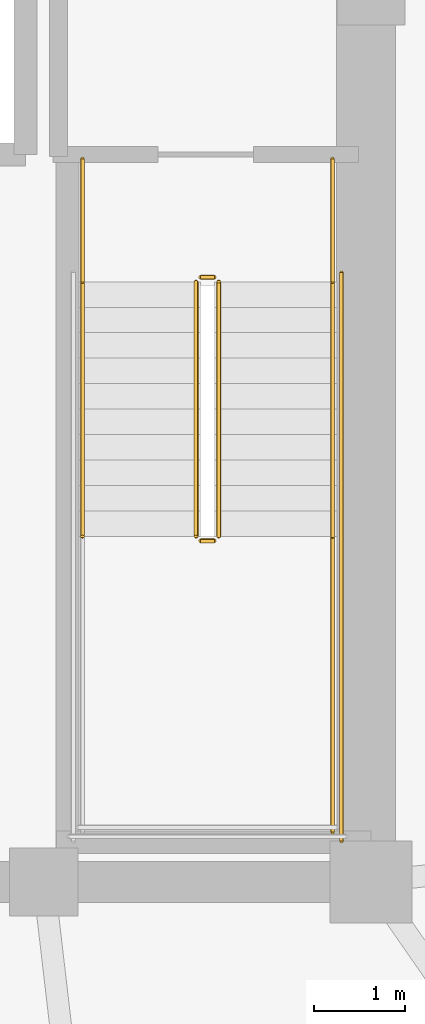
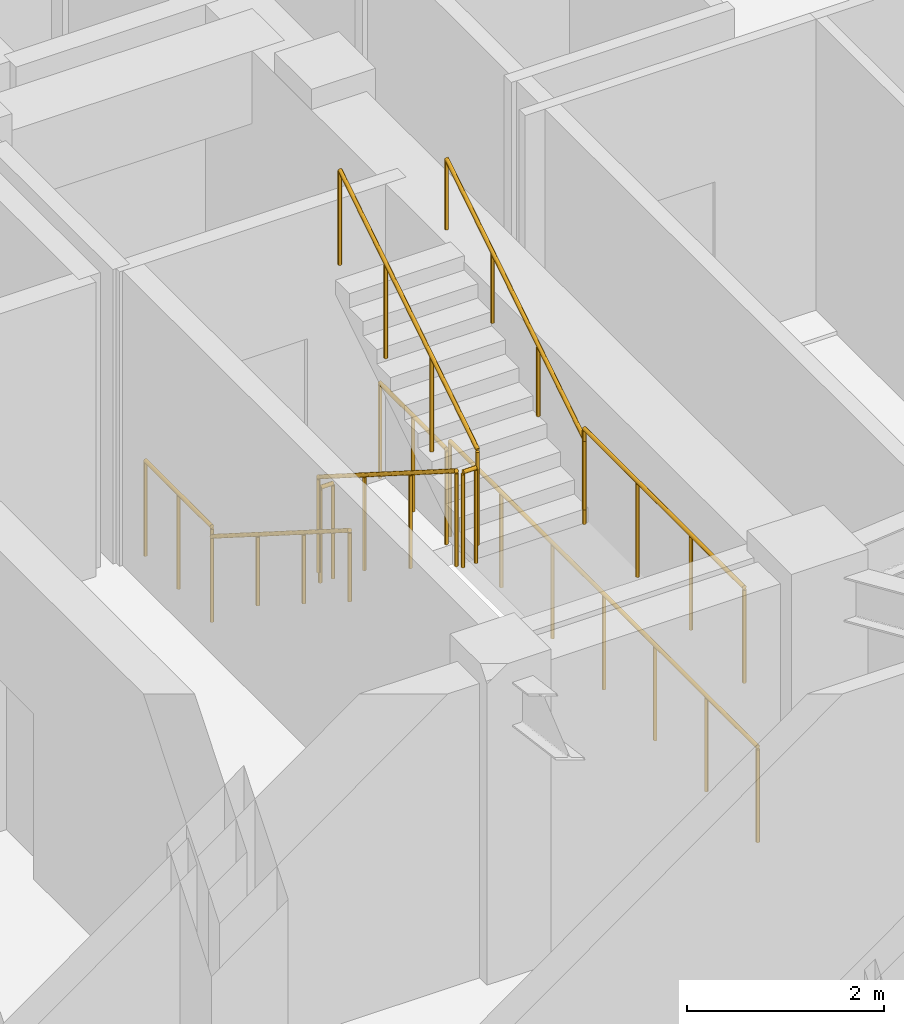
# One storey, part 14 of 15: 10 railings.
"""IFC4 building model written with IfcOpenShell, lengths in metres."""

from ifc_helpers import new_model, si_unit, direction, frame, origin, origin_2d, place, context, subcontext, project, spatial, circle, extrude, material, type_object, element, save


model = new_model("IFC4")

# Units and contexts
model_context = context("Model", 3, precision=1e-05, world=origin(), true_north=direction((0.0, 1.0)))
body_context = subcontext(model_context, "Body", "Model", "MODEL_VIEW")
ifc_project = project(units=[si_unit("LENGTHUNIT", "METRE"), si_unit("AREAUNIT", "SQUARE_METRE"), si_unit("VOLUMEUNIT", "CUBIC_METRE"), si_unit("PLANEANGLEUNIT", "RADIAN"), si_unit("MASSUNIT", "GRAM", prefix="KILO")], contexts=[model_context])

# Site, building, storey
site_placement = place(None, origin())
site = spatial("IfcSite", under=ifc_project, at=site_placement, CompositionType="ELEMENT")
building_placement = place(site_placement, origin())
building = spatial("IfcBuilding", under=site, at=building_placement, Name="Voryun Gate Residences", CompositionType="ELEMENT")
storey_placement = place(building_placement, frame((0.0, 0.0, 231.39990234375)))
storey = spatial("IfcBuildingStorey", under=building, at=storey_placement, Name="L57", CompositionType="ELEMENT", Elevation=231.39990234375)

# Railings
ifc_material_1 = material(Name="Painted steel", Category="steel")
railing_type_1 = type_object("IfcRailingType", Name="RAIL_STAIR_GUARD_1200", PredefinedType="GUARDRAIL", material=ifc_material_1)
railing_1_placement = place(storey_placement, frame((17.27490234375, -0.800048828125, 0.177490234375)))
element("IfcRailing", 1, at=railing_1_placement, inside=storey, type_object=railing_type_1, Name="L57 ST-E1 stair guard 1", PredefinedType="GUARDRAIL", context=body_context, shape_type="SweptSolid", body=[
    extrude(circle(Radius=0.02392578125, at=origin_2d()), frame((0.0, 0.0, 1.17578125), z_axis=(0.0, -0.844908973607, 0.534910110503), x_axis=(1.0, 0.0, 0.0)), (0.0, 0.0, 1.0), 3.31396484375),
    extrude(circle(Radius=0.02099609375, at=origin_2d()), origin(), (0.0, 0.0, 1.0), 1.15185546875),
    extrude(circle(Radius=0.02099609375, at=origin_2d()), frame((0.0, -0.933349609375, 0.5908203125)), (0.0, 0.0, 1.0), 1.15185546875),
    extrude(circle(Radius=0.02099609375, at=origin_2d()), frame((0.0, -1.86669921875, 1.181884765625)), (0.0, 0.0, 1.0), 1.15185546875),
    extrude(circle(Radius=0.02099609375, at=origin_2d()), frame((0.0, -2.800048828125, 1.772705078125)), (0.0, 0.0, 1.0), 1.15185546875),
])
railing_2_placement = place(storey_placement, frame((17.324951171875, -3.64990234375, 1.9501953125)))
element("IfcRailing", 2, at=railing_2_placement, inside=storey, type_object=railing_type_1, Name="L57 ST-E1 stair guard 2", PredefinedType="GUARDRAIL", context=body_context, shape_type="SweptSolid", body=[
    extrude(circle(Radius=0.02392578125, at=origin_2d()), frame((0.0, 0.0, 1.17578125), z_axis=(1.0, 0.0, 0.0), x_axis=(0.0, 1.0, 0.0)), (0.0, 0.0, 1.0), 0.150146484375),
    extrude(circle(Radius=0.02099609375, at=origin_2d()), origin(), (0.0, 0.0, 1.0), 1.15185546875),
    extrude(circle(Radius=0.02099609375, at=origin_2d()), frame((0.150146484375, 0.0, 0.0)), (0.0, 0.0, 1.0), 1.15185546875),
])
railing_3_placement = place(storey_placement, frame((18.77490234375, -3.60009765625, 1.9501953125)))
element("IfcRailing", 3, at=railing_3_placement, inside=storey, type_object=railing_type_1, Name="L57 ST-E1 stair guard 4", PredefinedType="GUARDRAIL", context=body_context, shape_type="SweptSolid", body=[
    extrude(circle(Radius=0.02392578125, at=origin_2d()), frame((0.0, 0.0, 1.17578125), z_axis=(0.0, -1.0, 0.0), x_axis=(1.0, 0.0, 0.0)), (0.0, 0.0, 1.0), 3.25),
    extrude(circle(Radius=0.02099609375, at=origin_2d()), origin(), (0.0, 0.0, 1.0), 1.15185546875),
    extrude(circle(Radius=0.02099609375, at=origin_2d()), frame((0.0, -1.083251953125, 0.0)), (0.0, 0.0, 1.0), 1.15185546875),
    extrude(circle(Radius=0.02099609375, at=origin_2d()), frame((0.0, -2.166748046875, 0.0)), (0.0, 0.0, 1.0), 1.15185546875),
    extrude(circle(Radius=0.02099609375, at=origin_2d()), frame((0.0, -3.25, 0.0)), (0.0, 0.0, 1.0), 1.15185546875),
])
railing_4_placement = place(storey_placement, frame((17.52490234375, -3.60009765625, 2.12744140625)))
element("IfcRailing", 4, at=railing_4_placement, inside=storey, type_object=railing_type_1, Name="L57 ST-E1 stair guard 6", PredefinedType="GUARDRAIL", context=body_context, shape_type="SweptSolid", body=[
    extrude(circle(Radius=0.02392578125, at=origin_2d()), frame((0.0, 0.0, 1.17578125), z_axis=(0.0, 0.844908973607, 0.534910110503), x_axis=(-1.0, 0.0, 0.0)), (0.0, 0.0, 1.0), 3.31396484375),
    extrude(circle(Radius=0.02099609375, at=origin_2d()), origin(), (0.0, 0.0, 1.0), 1.15185546875),
    extrude(circle(Radius=0.02099609375, at=origin_2d()), frame((0.0, 0.933349609375, 0.5908203125)), (0.0, 0.0, 1.0), 1.15185546875),
    extrude(circle(Radius=0.02099609375, at=origin_2d()), frame((0.0, 1.86669921875, 1.181884765625)), (0.0, 0.0, 1.0), 1.15185546875),
    extrude(circle(Radius=0.02099609375, at=origin_2d()), frame((0.0, 2.800048828125, 1.772705078125)), (0.0, 0.0, 1.0), 1.15185546875),
])
railing_5_placement = place(storey_placement, frame((17.324951171875, -0.75, 0.0)))
element("IfcRailing", 5, at=railing_5_placement, inside=storey, type_object=railing_type_1, Name="L57 ST-E1 stair guard 7", PredefinedType="GUARDRAIL", context=body_context, shape_type="SweptSolid", body=[
    extrude(circle(Radius=0.02392578125, at=origin_2d()), frame((0.0, 0.0, 1.17578125), z_axis=(1.0, 0.0, 0.0), x_axis=(0.0, 1.0, 0.0)), (0.0, 0.0, 1.0), 0.150146484375),
    extrude(circle(Radius=0.02099609375, at=origin_2d()), origin(), (0.0, 0.0, 1.0), 1.15185546875),
    extrude(circle(Radius=0.02099609375, at=origin_2d()), frame((0.150146484375, 0.0, 0.0)), (0.0, 0.0, 1.0), 1.15185546875),
])
for number, where, name in (
    (6, (16.02490234375, 0.550048828125, 0.0), "L57 ST-E1 stair guard 8"),
    (7, (18.77490234375, 0.550048828125, 0.0), "L57 ST-E1 stair guard 9"),
):
    element("IfcRailing", number, at=place(storey_placement, frame(where)), inside=storey, type_object=railing_type_1, Name=name, PredefinedType="GUARDRAIL", context=body_context, shape_type="SweptSolid", body=[
        extrude(circle(Radius=0.02392578125, at=origin_2d()), frame((0.0, 0.0, 1.17578125), z_axis=(0.0, -1.0, 0.0), x_axis=(1.0, 0.0, 0.0)), (0.0, 0.0, 1.0), 1.35009765625),
        extrude(circle(Radius=0.02099609375, at=origin_2d()), origin(), (0.0, 0.0, 1.0), 1.15185546875),
        extrude(circle(Radius=0.02099609375, at=origin_2d()), frame((0.0, -0.675048828125, 0.0)), (0.0, 0.0, 1.0), 1.15185546875),
        extrude(circle(Radius=0.02099609375, at=origin_2d()), frame((0.0, -1.35009765625, 0.0)), (0.0, 0.0, 1.0), 1.15185546875),
    ])
railing_6_placement = place(storey_placement, frame((18.875, -0.699951171875, 0.0)))
element("IfcRailing", 8, at=railing_6_placement, inside=storey, type_object=railing_type_1, Name="L57 ST-E1 stair guard 11", PredefinedType="GUARDRAIL", context=body_context, shape_type="SweptSolid", body=[
    extrude(circle(Radius=0.02392578125, at=origin_2d()), frame((0.0, 0.0, 1.17578125), z_axis=(0.0, -1.0, 0.0), x_axis=(1.0, 0.0, 0.0)), (0.0, 0.0, 1.0), 6.25),
    extrude(circle(Radius=0.02099609375, at=origin_2d()), origin(), (0.0, 0.0, 1.0), 1.15185546875),
    extrude(circle(Radius=0.02099609375, at=origin_2d()), frame((0.0, -1.041748046875, 0.0)), (0.0, 0.0, 1.0), 1.15185546875),
    extrude(circle(Radius=0.02099609375, at=origin_2d()), frame((0.0, -2.083251953125, 0.0)), (0.0, 0.0, 1.0), 1.15185546875),
    extrude(circle(Radius=0.02099609375, at=origin_2d()), frame((0.0, -3.125, 0.0)), (0.0, 0.0, 1.0), 1.15185546875),
    extrude(circle(Radius=0.02099609375, at=origin_2d()), frame((0.0, -4.166748046875, 0.0)), (0.0, 0.0, 1.0), 1.15185546875),
    extrude(circle(Radius=0.02099609375, at=origin_2d()), frame((0.0, -5.208251953125, 0.0)), (0.0, 0.0, 1.0), 1.15185546875),
    extrude(circle(Radius=0.02099609375, at=origin_2d()), frame((0.0, -6.25, 0.0)), (0.0, 0.0, 1.0), 1.15185546875),
])
ifc_material_2 = material(Name="Painted steel", Category="steel")
railing_type_2 = type_object("IfcRailingType", Name="RAIL_STAIR_HANDRAIL_900", PredefinedType="HANDRAIL", material=ifc_material_2)
railing_7_placement = place(storey_placement, frame((16.02490234375, -0.800048828125, 0.177490234375)))
element("IfcRailing", 9, at=railing_7_placement, inside=storey, type_object=railing_type_2, Name="L57 ST-E1 stair handrail 1", PredefinedType="HANDRAIL", context=body_context, shape_type="SweptSolid", body=[
    extrude(circle(Radius=0.02392578125, at=origin_2d()), frame((0.0, 0.0, 0.8759765625), z_axis=(0.0, -0.844908973607, 0.534910110503), x_axis=(1.0, 0.0, 0.0)), (0.0, 0.0, 1.0), 3.31396484375),
    extrude(circle(Radius=0.02099609375, at=origin_2d()), origin(), (0.0, 0.0, 1.0), 0.851806640625),
    extrude(circle(Radius=0.02099609375, at=origin_2d()), frame((0.0, -0.933349609375, 0.5908203125)), (0.0, 0.0, 1.0), 0.851806640625),
    extrude(circle(Radius=0.02099609375, at=origin_2d()), frame((0.0, -1.86669921875, 1.181884765625)), (0.0, 0.0, 1.0), 0.851806640625),
    extrude(circle(Radius=0.02099609375, at=origin_2d()), frame((0.0, -2.800048828125, 1.772705078125)), (0.0, 0.0, 1.0), 0.851806640625),
])
railing_8_placement = place(storey_placement, frame((18.77490234375, -3.60009765625, 2.12744140625)))
element("IfcRailing", 10, at=railing_8_placement, inside=storey, type_object=railing_type_2, Name="L57 ST-E1 stair handrail 2", PredefinedType="HANDRAIL", context=body_context, shape_type="SweptSolid", body=[
    extrude(circle(Radius=0.02392578125, at=origin_2d()), frame((0.0, 0.0, 0.8759765625), z_axis=(0.0, 0.844908973607, 0.534910110503), x_axis=(-1.0, 0.0, 0.0)), (0.0, 0.0, 1.0), 3.31396484375),
    extrude(circle(Radius=0.02099609375, at=origin_2d()), origin(), (0.0, 0.0, 1.0), 0.851806640625),
    extrude(circle(Radius=0.02099609375, at=origin_2d()), frame((0.0, 0.933349609375, 0.5908203125)), (0.0, 0.0, 1.0), 0.851806640625),
    extrude(circle(Radius=0.02099609375, at=origin_2d()), frame((0.0, 1.86669921875, 1.181884765625)), (0.0, 0.0, 1.0), 0.851806640625),
    extrude(circle(Radius=0.02099609375, at=origin_2d()), frame((0.0, 2.800048828125, 1.772705078125)), (0.0, 0.0, 1.0), 0.851806640625),
])

save(model, "model.ifc")
